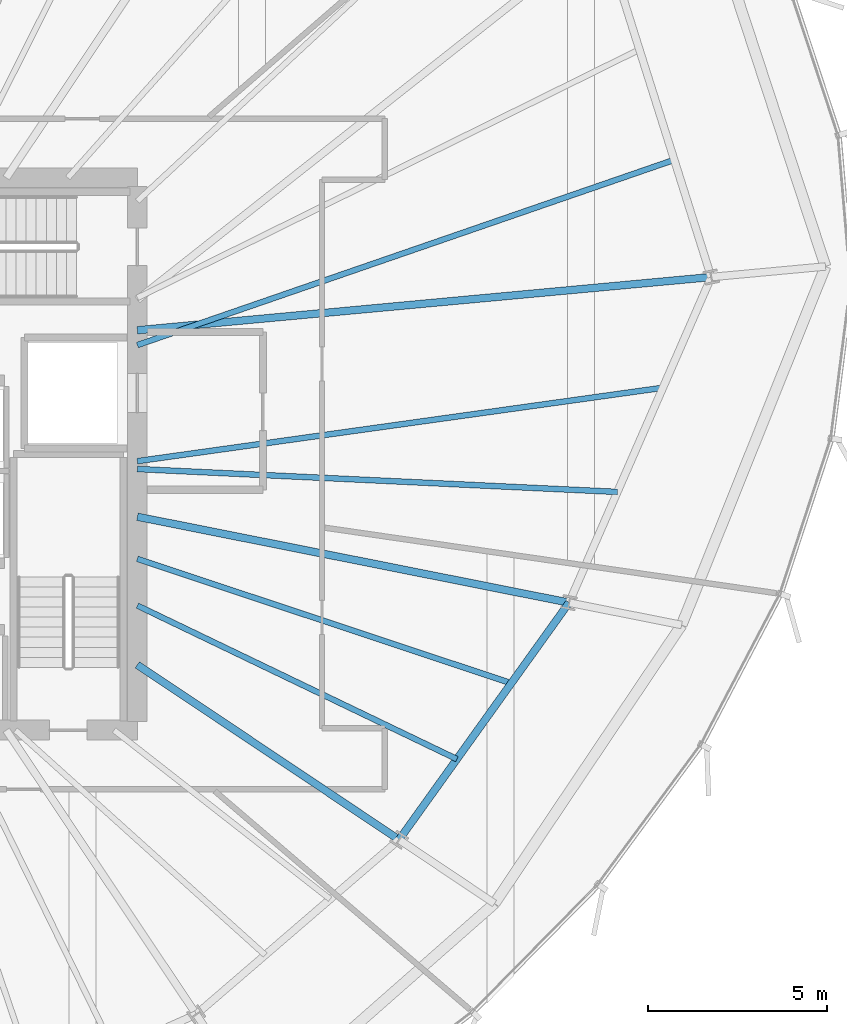
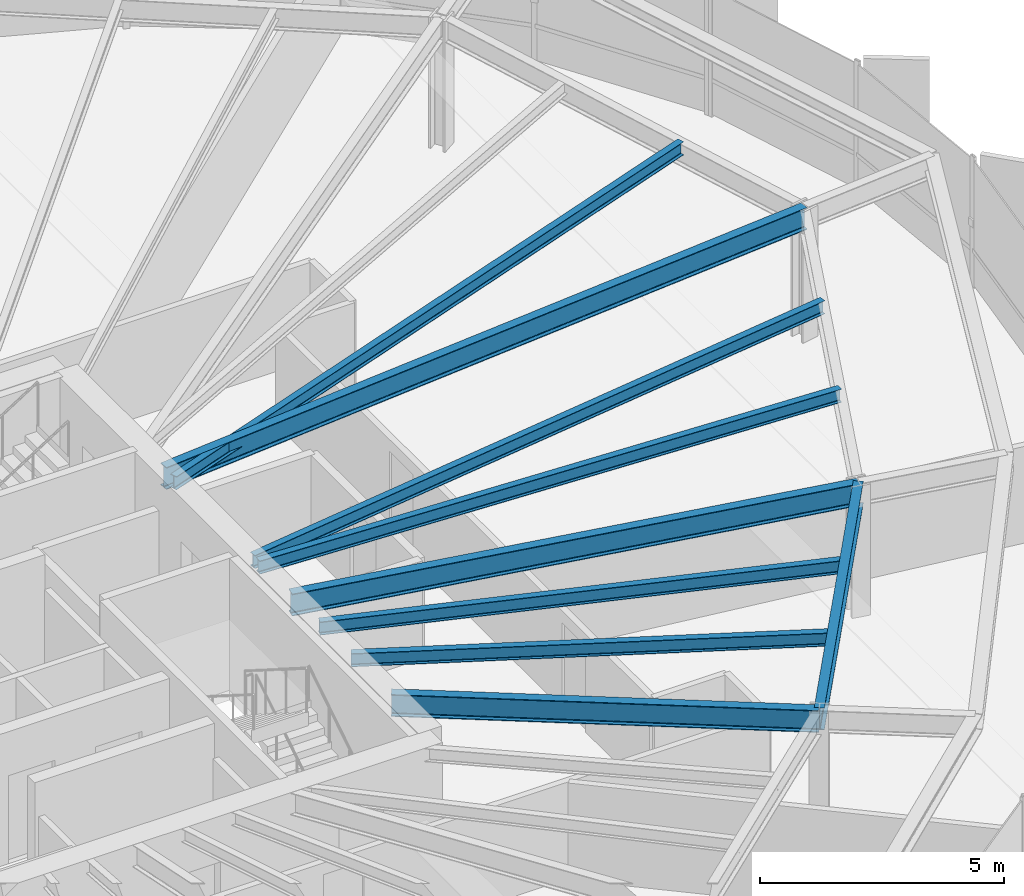
# One storey, part 15 of 35: 9 beams.
"""IFC4 building model written with IfcOpenShell, lengths in metres."""

from ifc_helpers import new_model, si_unit, direction, frame, origin, origin_2d, place, context, subcontext, project, spatial, i_section, extrude, source, transform, mapped, material, material_profile, profile_set, type_object, element, save


model = new_model("IFC4")

# Units and contexts
model_context = context("Model", 3, precision=1e-05, world=origin(), true_north=direction((0.0, 1.0)))
body_context = subcontext(model_context, "Body", "Model", "MODEL_VIEW")
ifc_project = project(units=[si_unit("LENGTHUNIT", "METRE"), si_unit("AREAUNIT", "SQUARE_METRE"), si_unit("VOLUMEUNIT", "CUBIC_METRE"), si_unit("PLANEANGLEUNIT", "RADIAN"), si_unit("MASSUNIT", "GRAM", prefix="KILO"), si_unit("THERMODYNAMICTEMPERATUREUNIT", "KELVIN")], contexts=[model_context])

# Site, building, storey
site_placement = place(None, origin())
site = spatial("IfcSite", under=ifc_project, at=site_placement, CompositionType="ELEMENT")
building_placement = place(site_placement, origin())
building = spatial("IfcBuilding", under=site, at=building_placement, Name="Kethvar Cultural Tower", CompositionType="ELEMENT")
storey_placement = place(building_placement, frame((0.0, 0.0, 135.89990234375)))
storey = spatial("IfcBuildingStorey", under=building, at=storey_placement, Name="L34", CompositionType="ELEMENT", Elevation=135.89990234375)

# Beams
ifc_material = material(Name="Steel S355J2", Category="steel")
ifc_material_profile_1 = material_profile(ifc_material, i_section(OverallWidth=0.2099609375, OverallDepth=0.550048828125, WebThickness=0.010986328125, FlangeThickness=0.01708984375, FilletRadius=0.02392578125, at=origin_2d()), Name="Steel S355J2 — IPE550")
ifc_profile_set_1 = profile_set([ifc_material_profile_1], Name="Steel S355J2 — IPE550")
beam_type_1 = type_object("IfcBeamType", Name="BM-IPE550", PredefinedType="BEAM", material=ifc_profile_set_1)
shared_shape_1 = source(origin(), body_context, "Body", "SweptSolid", [
    extrude(i_section(OverallWidth=0.2099609375, OverallDepth=0.550048828125, WebThickness=0.010986328125, FlangeThickness=0.01708984375, FilletRadius=0.02392578125, at=origin_2d()), origin(), (0.0, 0.0, 1.0), 16.071044921875),
])
beam_1_placement = place(storey_placement, frame((55.60009765625, 31.25, 3.023193359375), z_axis=(0.995731009363, 0.092302529718, 0.0), x_axis=(-0.092302529718, 0.995731009363, 0.0)))
element("IfcBeam", 1, at=beam_1_placement, inside=storey, type_object=beam_type_1, Name="L34 Primary Radial Beam RB-01", PredefinedType="BEAM", context=body_context, shape_type="MappedRepresentation", body=[
    mapped(shared_shape_1, transform((0.0, 0.0, 0.0), scale=1.0)),
])
shared_shape_2 = source(origin(), body_context, "Body", "SweptSolid", [
    extrude(i_section(OverallWidth=0.2099609375, OverallDepth=0.550048828125, WebThickness=0.010986328125, FlangeThickness=0.01708984375, FilletRadius=0.02392578125, at=origin_2d()), origin(), (0.0, 0.0, 1.0), 8.77783203125),
])
beam_2_placement = place(storey_placement, frame((55.60009765625, 21.919921875, 3.023193359375), z_axis=(0.831472186778, -0.555566380026, 0.0), x_axis=(0.555566380026, 0.831472186778, 0.0)))
element("IfcBeam", 2, at=beam_2_placement, inside=storey, type_object=beam_type_1, Name="L34 Primary Radial Beam RB-15", PredefinedType="BEAM", context=body_context, shape_type="MappedRepresentation", body=[
    mapped(shared_shape_2, transform((0.0, 0.0, 0.0), scale=1.0)),
])
shared_shape_3 = source(origin(), body_context, "Body", "SweptSolid", [
    extrude(i_section(OverallWidth=0.2099609375, OverallDepth=0.550048828125, WebThickness=0.010986328125, FlangeThickness=0.01708984375, FilletRadius=0.02392578125, at=origin_2d()), origin(), (0.0, 0.0, 1.0), 12.2744140625),
])
beam_3_placement = place(storey_placement, frame((55.60009765625, 26.049560546875, 3.023193359375), z_axis=(0.980782878234, -0.195102398146, 0.0), x_axis=(0.195102398146, 0.980782878234, 0.0)))
element("IfcBeam", 3, at=beam_3_placement, inside=storey, type_object=beam_type_1, Name="L34 Primary Radial Beam RB-16", PredefinedType="BEAM", context=body_context, shape_type="MappedRepresentation", body=[
    mapped(shared_shape_3, transform((0.0, 0.0, 0.0), scale=1.0)),
])
ifc_material_profile_2 = material_profile(ifc_material, i_section(OverallWidth=0.159912109375, OverallDepth=0.330078125, WebThickness=0.007568359375, FlangeThickness=0.011474609375, FilletRadius=0.01806640625, at=origin_2d()), Name="Steel S355J2 — IPE330")
ifc_profile_set_2 = profile_set([ifc_material_profile_2], Name="Steel S355J2 — IPE330")
beam_type_2 = type_object("IfcBeamType", Name="BM-J330", PredefinedType="JOIST", material=ifc_profile_set_2)
shared_shape_4 = source(origin(), body_context, "Body", "SweptSolid", [
    extrude(i_section(OverallWidth=0.159912109375, OverallDepth=0.330078125, WebThickness=0.007568359375, FlangeThickness=0.011474609375, FilletRadius=0.01806640625, at=origin_2d()), origin(), (0.0, 0.0, 1.0), 15.836669921875),
])
beam_4_placement = place(storey_placement, frame((55.60009765625, 30.836181640625, 3.133056640625), z_axis=(0.945315135904, 0.326158387644, 0.0), x_axis=(-0.326158387644, 0.945315135904, 0.0)))
element("IfcBeam", 4, at=beam_4_placement, inside=storey, type_object=beam_type_2, Name="L34 Composite Floor Joist J-01A", PredefinedType="JOIST", context=body_context, shape_type="MappedRepresentation", body=[
    mapped(shared_shape_4, transform((0.0, 0.0, 0.0), scale=1.0)),
])
shared_shape_5 = source(origin(), body_context, "Body", "SweptSolid", [
    extrude(i_section(OverallWidth=0.2099609375, OverallDepth=0.550048828125, WebThickness=0.010986328125, FlangeThickness=0.01708984375, FilletRadius=0.02392578125, at=origin_2d()), origin(), (0.0, 0.0, 1.0), 8.13525390625),
])
beam_5_placement = place(storey_placement, frame((62.898681640625, 17.043212890625, 3.023193359375), z_axis=(0.582656731995, 0.812718359988, 0.0), x_axis=(-0.812718359988, 0.582656731995, 0.0)))
element("IfcBeam", 5, at=beam_5_placement, inside=storey, type_object=beam_type_1, Name="L34 Column Ring Tie Beam CR-15", PredefinedType="BEAM", context=body_context, shape_type="MappedRepresentation", body=[
    mapped(shared_shape_5, transform((0.0, 0.0, 0.0), scale=1.0)),
])
shared_shape_6 = source(origin(), body_context, "Body", "SweptSolid", [
    extrude(i_section(OverallWidth=0.159912109375, OverallDepth=0.330078125, WebThickness=0.007568359375, FlangeThickness=0.011474609375, FilletRadius=0.01806640625, at=origin_2d()), origin(), (0.0, 0.0, 1.0), 9.885009765625),
])
beam_6_placement = place(storey_placement, frame((55.60009765625, 23.572021484375, 3.133056640625), z_axis=(0.901369611334, -0.43305060185, 0.0), x_axis=(0.43305060185, 0.901369611334, 0.0)))
element("IfcBeam", 6, at=beam_6_placement, inside=storey, type_object=beam_type_2, Name="L34 Composite Floor Joist J-15A", PredefinedType="JOIST", context=body_context, shape_type="MappedRepresentation", body=[
    mapped(shared_shape_6, transform((0.0, 0.0, 0.0), scale=1.0)),
])
shared_shape_7 = source(origin(), body_context, "Body", "SweptSolid", [
    extrude(i_section(OverallWidth=0.159912109375, OverallDepth=0.330078125, WebThickness=0.007568359375, FlangeThickness=0.011474609375, FilletRadius=0.01806640625, at=origin_2d()), origin(), (0.0, 0.0, 1.0), 10.98828125),
])
beam_7_placement = place(storey_placement, frame((55.60009765625, 24.8740234375, 3.133056640625), z_axis=(0.948918548228, -0.315521138481, 0.0), x_axis=(0.315521138481, 0.948918548228, 0.0)))
element("IfcBeam", 7, at=beam_7_placement, inside=storey, type_object=beam_type_2, Name="L34 Composite Floor Joist J-15B", PredefinedType="JOIST", context=body_context, shape_type="MappedRepresentation", body=[
    mapped(shared_shape_7, transform((0.0, 0.0, 0.0), scale=1.0)),
])
shared_shape_8 = source(origin(), body_context, "Body", "SweptSolid", [
    extrude(i_section(OverallWidth=0.159912109375, OverallDepth=0.330078125, WebThickness=0.007568359375, FlangeThickness=0.011474609375, FilletRadius=0.01806640625, at=origin_2d()), origin(), (0.0, 0.0, 1.0), 13.4013671875),
])
beam_8_placement = place(storey_placement, frame((55.60009765625, 27.380126953125, 3.133056640625), z_axis=(0.998864631653, -0.047638719894, 0.0), x_axis=(0.047638719894, 0.998864631653, 0.0)))
element("IfcBeam", 8, at=beam_8_placement, inside=storey, type_object=beam_type_2, Name="L34 Composite Floor Joist J-16A", PredefinedType="JOIST", context=body_context, shape_type="MappedRepresentation", body=[
    mapped(shared_shape_8, transform((0.0, 0.0, 0.0), scale=1.0)),
])
shared_shape_9 = source(origin(), body_context, "Body", "SweptSolid", [
    extrude(i_section(OverallWidth=0.159912109375, OverallDepth=0.330078125, WebThickness=0.007568359375, FlangeThickness=0.011474609375, FilletRadius=0.01806640625, at=origin_2d()), origin(), (0.0, 0.0, 1.0), 14.797119140625),
])
beam_9_placement = place(storey_placement, frame((55.60009765625, 27.60009765625, 3.133056640625), z_axis=(0.990388450305, 0.138313836986, 0.0), x_axis=(-0.138313836986, 0.990388450305, 0.0)))
element("IfcBeam", 9, at=beam_9_placement, inside=storey, type_object=beam_type_2, Name="L34 Composite Floor Joist J-16B", PredefinedType="JOIST", context=body_context, shape_type="MappedRepresentation", body=[
    mapped(shared_shape_9, transform((0.0, 0.0, 0.0), scale=1.0)),
])

save(model, "model.ifc")
